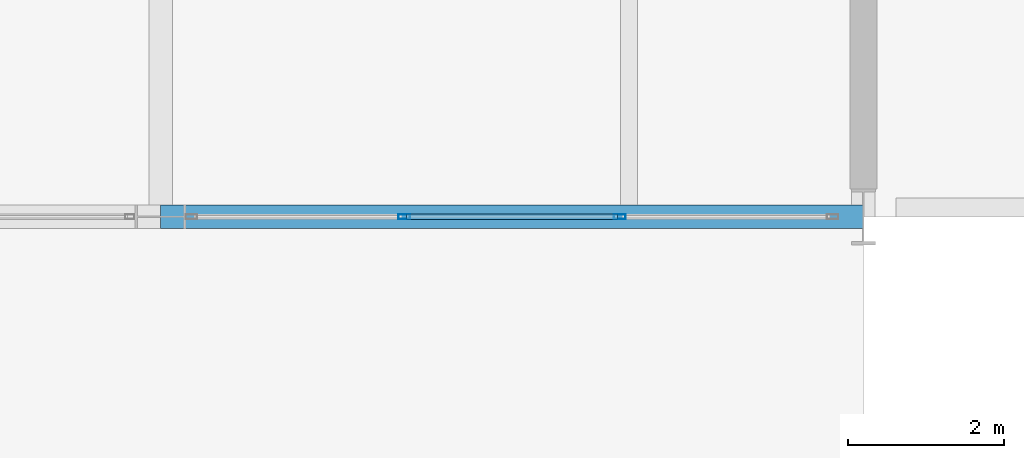
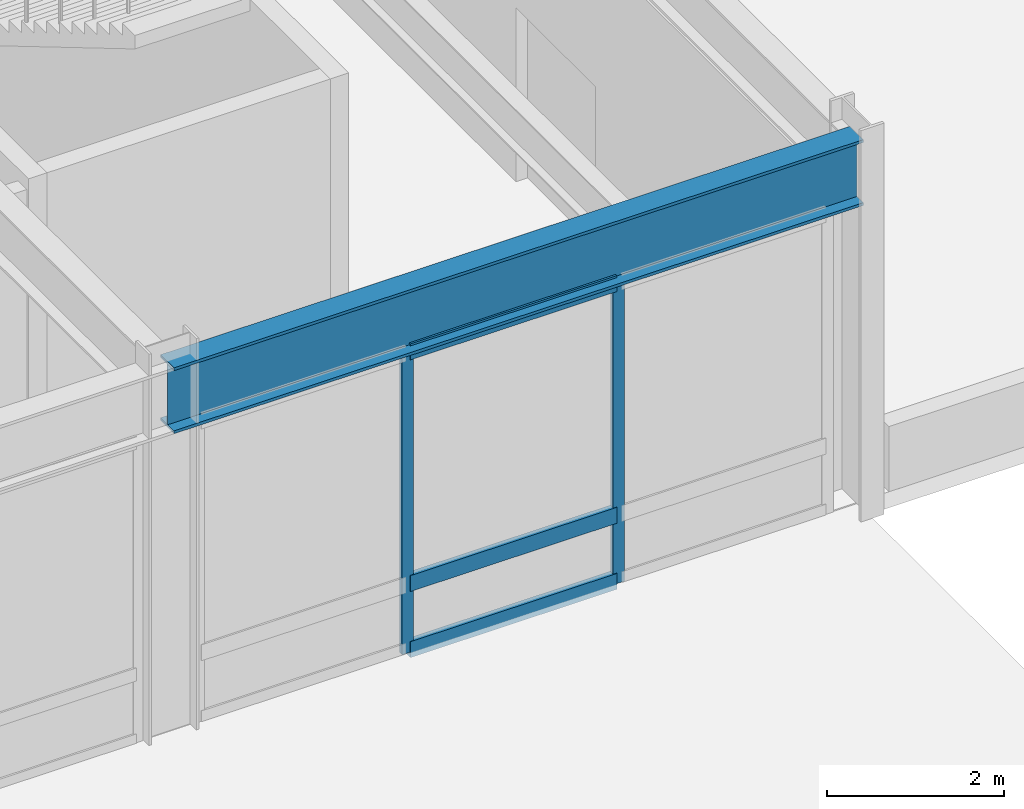
# One storey, part 100 of 143: 5 members, 1 beam, 1 element without a shape of its own.
"""IFC4 building model written with IfcOpenShell, lengths in metres."""

from ifc_helpers import new_model, si_unit, direction, frame, origin, origin_2d, place, context, subcontext, project, spatial, hollow_rectangle, i_section, extrude, material, layer, layer_set, material_profile, profile_set, type_object, element, aggregate, save


model = new_model("IFC4")

# Units and contexts
model_context = context("Model", 3, precision=1e-05, world=origin(), true_north=direction((0.0, 1.0)))
body_context = subcontext(model_context, "Body", "Model", "MODEL_VIEW")
ifc_project = project(units=[si_unit("LENGTHUNIT", "METRE"), si_unit("AREAUNIT", "SQUARE_METRE"), si_unit("VOLUMEUNIT", "CUBIC_METRE"), si_unit("PLANEANGLEUNIT", "RADIAN"), si_unit("MASSUNIT", "GRAM", prefix="KILO")], contexts=[model_context])

# Site, building, storey
site_placement = place(None, origin())
site = spatial("IfcSite", under=ifc_project, at=site_placement, CompositionType="ELEMENT")
building_placement = place(site_placement, origin())
building = spatial("IfcBuilding", under=site, at=building_placement, Name="Montelvaro Courts of Justice", CompositionType="ELEMENT")
storey_placement = place(building_placement, origin())
storey = spatial("IfcBuildingStorey", under=building, at=storey_placement, Name="L00", CompositionType="ELEMENT", Elevation=0.0)

# Beam
ifc_material_1 = material(Name="Steel S355", Category="steel")
ifc_material_profile_1 = material_profile(ifc_material_1, i_section(OverallWidth=0.302001953125, OverallDepth=0.909912109375, WebThickness=0.02099609375, FlangeThickness=0.0400390625, at=origin_2d()), Name="HEM 900")
ifc_profile_set_1 = profile_set([ifc_material_profile_1], Name="Steel S355")
beam_type = type_object("IfcBeamType", Name="Beam_HEM900", PredefinedType="USERDEFINED", material=ifc_profile_set_1)
beam_placement = place(storey_placement, frame((153.0, 78.0, 4.64501953125), z_axis=(1.0, 0.0, 0.0), x_axis=(0.0, 1.0, 0.0)))
element("IfcBeam", 1, at=beam_placement, inside=storey, type_object=beam_type, Name="Beam B-31 L00", ObjectType="GIRDER", PredefinedType="USERDEFINED", context=body_context, shape_type="SweptSolid", body=[
    extrude(i_section(OverallWidth=0.302001953125, OverallDepth=0.909912109375, WebThickness=0.02099609375, FlangeThickness=0.0400390625, at=origin_2d()), origin(), (0.0, 0.0, 1.0), 9.0),
])

# Curtain wall, members
ifc_material_2 = material(Name="Anodised aluminium EN AW-6063", Category="aluminium")
ifc_layer = layer(ifc_material_2, 0.159912109375)
ifc_layer_set = layer_set([ifc_layer], Name="Anodised aluminium EN AW-6063")
curtain_wall_type = type_object("IfcCurtainWallType", Name="CurtainWall_01_827x508", PredefinedType="USERDEFINED", material=ifc_layer_set)
curtain_wall_placement = place(storey_placement, origin())
curtain_wall = element("IfcCurtainWall", 2, at=curtain_wall_placement, inside=storey, type_object=curtain_wall_type, Name="Curtain Wall CW-01 (L00)", ObjectType="CURTAIN WALL", PredefinedType="USERDEFINED")
ifc_material_profile_2 = material_profile(ifc_material_2, hollow_rectangle(XDim=0.06005859375, YDim=0.14990234375, WallThickness=0.00390625, at=origin_2d()), Name="ALU-M 60x150")
ifc_profile_set_2 = profile_set([ifc_material_profile_2], Name="Anodised aluminium EN AW-6063")
member_type_1 = type_object("IfcMemberType", Name="CurtainWall_Mullion_60x150", PredefinedType="MULLION", material=ifc_profile_set_2)
member_1_placement = place(storey_placement, frame((156.12158203125, 78.0, 0.0), z_axis=(0.0, 0.0, 1.0), x_axis=(0.0, 1.0, 0.0)))
member_1 = element("IfcMember", 3, at=member_1_placement, type_object=member_type_1, Name="CW-01 mullion 2", PredefinedType="MULLION", context=body_context, shape_type="SweptSolid", body=[
    extrude(hollow_rectangle(XDim=0.06005859375, YDim=0.14990234375, WallThickness=0.00390625, at=origin_2d()), origin(), (0.0, 0.0, 1.0), 4.18505859375),
])
member_2_placement = place(storey_placement, frame((158.87841796875, 78.0, 0.0), z_axis=(0.0, 0.0, 1.0), x_axis=(0.0, 1.0, 0.0)))
member_2 = element("IfcMember", 4, at=member_2_placement, type_object=member_type_1, Name="CW-01 mullion 3", PredefinedType="MULLION", context=body_context, shape_type="SweptSolid", body=[
    extrude(hollow_rectangle(XDim=0.06005859375, YDim=0.14990234375, WallThickness=0.00390625, at=origin_2d()), origin(), (0.0, 0.0, 1.0), 4.18505859375),
])
ifc_material_profile_3 = material_profile(ifc_material_2, hollow_rectangle(XDim=0.074951171875, YDim=0.219970703125, WallThickness=0.005615234375, at=origin_2d()), Name="ALU-T 75x220")
ifc_profile_set_3 = profile_set([ifc_material_profile_3], Name="Anodised aluminium EN AW-6063")
member_type_2 = type_object("IfcMemberType", Name="CurtainWall_Transom_75x220", PredefinedType="USERDEFINED", material=ifc_profile_set_3)
member_3_placement = place(storey_placement, frame((156.151611328125, 78.0, 0.03759765625), z_axis=(1.0, 0.0, 0.0), x_axis=(0.0, 1.0, 0.0)))
member_3 = element("IfcMember", 5, at=member_3_placement, type_object=member_type_2, Name="CW-01 transom 2.1", ObjectType="TRANSOM", PredefinedType="USERDEFINED", context=body_context, shape_type="SweptSolid", body=[
    extrude(hollow_rectangle(XDim=0.074951171875, YDim=0.219970703125, WallThickness=0.005615234375, at=origin_2d()), origin(), (0.0, 0.0, 1.0), 2.69677734375),
])
member_4_placement = place(storey_placement, frame((156.151611328125, 78.0, 0.949951171875), z_axis=(1.0, 0.0, 0.0), x_axis=(0.0, 1.0, 0.0)))
member_4 = element("IfcMember", 6, at=member_4_placement, type_object=member_type_2, Name="CW-01 transom 2.2", ObjectType="TRANSOM", PredefinedType="USERDEFINED", context=body_context, shape_type="SweptSolid", body=[
    extrude(hollow_rectangle(XDim=0.074951171875, YDim=0.219970703125, WallThickness=0.005615234375, at=origin_2d()), origin(), (0.0, 0.0, 1.0), 2.69677734375),
])
member_5_placement = place(storey_placement, frame((156.151611328125, 78.0, 4.1474609375), z_axis=(1.0, 0.0, 0.0), x_axis=(0.0, 1.0, 0.0)))
member_5 = element("IfcMember", 7, at=member_5_placement, type_object=member_type_2, Name="CW-01 transom 2.3", ObjectType="TRANSOM", PredefinedType="USERDEFINED", context=body_context, shape_type="SweptSolid", body=[
    extrude(hollow_rectangle(XDim=0.074951171875, YDim=0.219970703125, WallThickness=0.005615234375, at=origin_2d()), origin(), (0.0, 0.0, 1.0), 2.69677734375),
])
aggregate(curtain_wall, [member_1, member_2, member_3, member_4, member_5])

save(model, "model.ifc")
